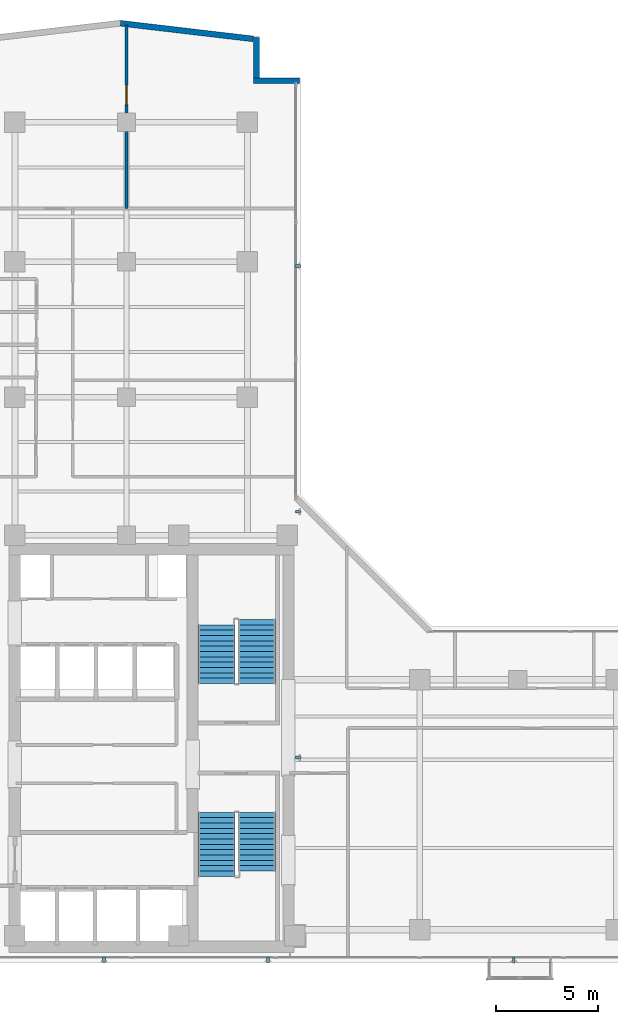
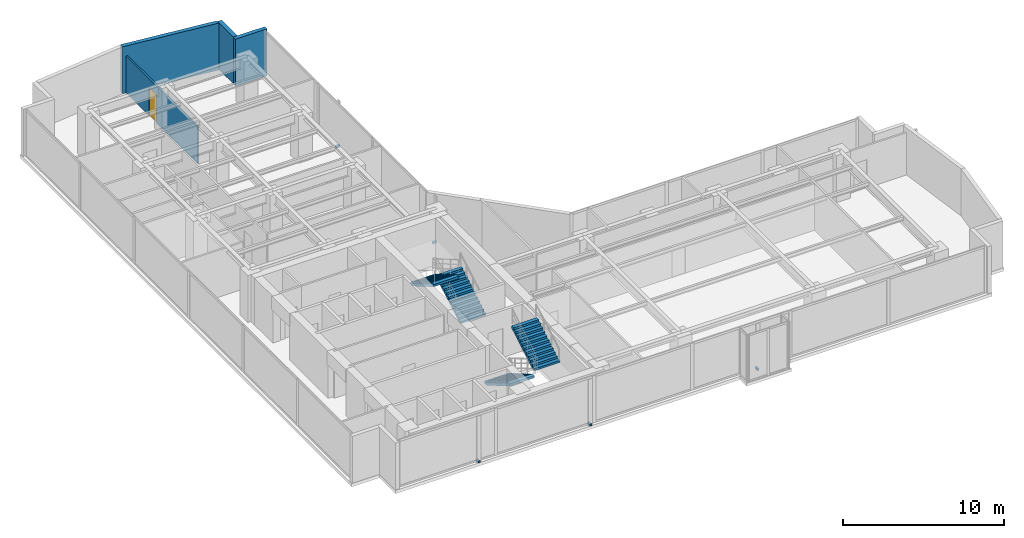
# One storey, part 19 of 23: 6 discrete accessories, 4 stair flights, 4 walls, 1 door, 1 opening, 2 elements without a shape of their own.
"""IFC4 building model written with IfcOpenShell, lengths in metres."""

from ifc_helpers import new_model, si_unit, direction, frame, frame_2d, origin, origin_with_axes, origin_2d, place, context, subcontext, project, spatial, polyline, rectangle, outline, extrude, source, transform, mapped, material, layer, layer_set, type_object, element, fill, aggregate, save


model = new_model("IFC4")

# Units and contexts
model_context = context("Model", 3, precision=1e-05, world=origin(), true_north=direction((0.0, 1.0)))
body_context = subcontext(model_context, "Body", "Model", "MODEL_VIEW")
ifc_project = project(units=[si_unit("LENGTHUNIT", "METRE"), si_unit("AREAUNIT", "SQUARE_METRE"), si_unit("VOLUMEUNIT", "CUBIC_METRE"), si_unit("PLANEANGLEUNIT", "RADIAN"), si_unit("MASSUNIT", "GRAM", prefix="KILO")], contexts=[model_context])

# Site, building, storey
site_placement = place(None, origin())
site = spatial("IfcSite", under=ifc_project, at=site_placement, CompositionType="ELEMENT")
building_placement = place(site_placement, origin())
building = spatial("IfcBuilding", under=site, at=building_placement, Name="Kolvaren Waterfront Exchange", CompositionType="ELEMENT")
storey_placement = place(building_placement, frame((0.0, 0.0, 250.10009765625)))
storey = spatial("IfcBuildingStorey", under=building, at=storey_placement, Name="L64", CompositionType="ELEMENT", Elevation=250.10009765625)

# Walls
ifc_material_1 = material(Name="Precast concrete C40/50", Category="concrete")
ifc_layer_1 = layer(ifc_material_1, 0.280029296875, Name="Precast concrete C40/50")
ifc_layer_set_1 = layer_set([ifc_layer_1], Name="Precast concrete C40/50")
wall_type_1 = type_object("IfcWallType", Name="ARC-EXT-TERR-280", PredefinedType="SOLIDWALL", material=ifc_layer_set_1)
wall_1_placement = place(storey_placement, frame((19.10009765625, 46.639892578125, 0.0), z_axis=(0.0, 0.0, 1.0), x_axis=(1.0, 0.0, 0.0)))
element("IfcWall", 1, at=wall_1_placement, inside=storey, type_object=wall_type_1, Name="L64 notched corner spandrel pier NNE-A", PredefinedType="SOLIDWALL", context=body_context, shape_type="SweptSolid", body=[
    extrude(rectangle(XDim=2.239990234375, YDim=0.280029296875, at=frame_2d((1.1201171875, 0.0))), origin(), (0.0, 0.0, 1.0), 3.559814453125),
])
wall_2_placement = place(storey_placement, frame((19.239990234375, 46.780029296875, 0.0), z_axis=(0.0, 0.0, 1.0), x_axis=(0.0, 1.0, 0.0)))
element("IfcWall", 2, at=wall_2_placement, inside=storey, type_object=wall_type_1, Name="L64 notched corner spandrel pier NNE-B", PredefinedType="SOLIDWALL", context=body_context, shape_type="SweptSolid", body=[
    extrude(rectangle(XDim=1.9599609375, YDim=0.280029296875, at=frame_2d((0.97998046875, 0.0))), origin(), (0.0, 0.0, 1.0), 3.559814453125),
])
wall_3_placement = place(storey_placement, frame((19.08349609375, 48.676025390625, 0.0), z_axis=(0.0, 0.0, 1.0), x_axis=(-0.993149072278, 0.11685426921, 0.0)))
element("IfcWall", 3, at=wall_3_placement, inside=storey, type_object=wall_type_1, Name="L64 north prow faceted facade wall 1", PredefinedType="SOLIDWALL", context=body_context, shape_type="SweptSolid", body=[
    extrude(rectangle(XDim=6.52685546875, YDim=0.280029296875, at=frame_2d((3.263427734375, 0.0))), origin(), (0.0, 0.0, 1.0), 3.559814453125),
])

# Wall, opening, door
ifc_material_2 = material(Name="Acoustic gypsum steel stud", Category="steel")
ifc_layer_2 = layer(ifc_material_2, 0.125, Name="Acoustic gypsum steel stud")
ifc_layer_set_2 = layer_set([ifc_layer_2], Name="Acoustic gypsum steel stud")
wall_type_2 = type_object("IfcWallType", Name="ARC-PART-125", PredefinedType="PARTITIONING", material=ifc_layer_set_2)
wall_4_placement = place(storey_placement, frame((12.89990234375, 40.39990234375, 0.0), z_axis=(0.0, 0.0, 1.0), x_axis=(0.0, 1.0, 0.0)))
wall_4 = element("IfcWall", 4, at=wall_4_placement, inside=storey, type_object=wall_type_2, Name="L64 interior wall PW-L64-NTIP-DIV", PredefinedType="PARTITIONING", context=body_context, shape_type="SweptSolid", body=[
    extrude(rectangle(XDim=8.960205078125, YDim=0.125, at=frame_2d((4.47998046875, 0.0))), origin(), (0.0, 0.0, 1.0), 2.7978515625),
])
opening_placement = place(wall_4_placement, frame((5.069091796875, 0.0, 0.0)))
opening = element("IfcOpeningElement", 5, at=opening_placement, cuts=wall_4, Name="Opening D02", PredefinedType="OPENING", context=body_context, shape_type="SweptSolid", body=[
    extrude(rectangle(XDim=0.949951171875, YDim=2.14990234375, at=frame_2d((0.47509765625, 1.074951171875))), frame((0.0, 0.072509765625, 0.0), z_axis=(0.0, -1.0, 0.0), x_axis=(1.0, 0.0, 0.0)), (0.0, 0.0, 1.0), 0.14501953125),
])
ifc_material_3 = material(Name="Oak veneer acoustic timber", Category="wood")
door_type = type_object("IfcDoorType", Name="ARC-DR-950", OperationType="NOTDEFINED", PredefinedType="DOOR", material=ifc_material_3)
door_placement = place(opening_placement, origin())
door = element("IfcDoor", 6, at=door_placement, inside=storey, type_object=door_type, Name="L64 door DR-L64-NTIPE-D (D02)", OperationType="SINGLE_SWING_RIGHT", OverallHeight=2.14990234375, OverallWidth=0.949951171875, PredefinedType="DOOR", context=body_context, shape_type="SweptSolid", body=[
    extrude(rectangle(XDim=0.949951171875, YDim=2.14990234375, at=frame_2d((0.47509765625, 1.074951171875))), frame((0.0, 0.02490234375, 0.0), z_axis=(0.0, -1.0, 0.0), x_axis=(1.0, 0.0, 0.0)), (0.0, 0.0, 1.0), 0.050048828125),
])
fill(opening, door)

# Stair, stair flights
ifc_material_4 = material(Name="Concrete C40/50", Category="concrete")
stair_type = type_object("IfcStairType", Name="ARC-STAIR-3800", PredefinedType="HALF_TURN_STAIR", material=ifc_material_4)
stair_1_placement = place(storey_placement, origin())
stair_1 = element("IfcStair", 7, at=stair_1_placement, inside=storey, type_object=stair_type, Name="L64 Smoke-proof exit stair ST1", PredefinedType="HALF_TURN_STAIR")
stair_flight_type = type_object("IfcStairFlightType", Name="ARC-FLIGHT-3800", PredefinedType="STRAIGHT", material=ifc_material_4)
stair_flight_1_placement = place(storey_placement, frame((17.300048828125, 10.929931640625, 0.0), z_axis=(0.0, 0.0, 1.0), x_axis=(0.0, -1.0, 0.0)))
stair_flight_1 = element("IfcStairFlight", 8, at=stair_flight_1_placement, type_object=stair_flight_type, Name="ST1 flight 1", NumberOfRisers=13, NumberOfTreads=12, PredefinedType="STRAIGHT", RiserHeight=0.152, TreadLength=0.26, context=body_context, shape_type="SweptSolid", body=[
    extrude(outline(polyline([(0.0, 0.0), (0.0, 0.152099609375), (0.260009765625, 0.152099609375), (0.260009765625, 0.303955078125), (0.52001953125, 0.303955078125), (0.52001953125, 0.4560546875), (0.780029296875, 0.4560546875), (0.780029296875, 0.60791015625), (1.0400390625, 0.60791015625), (1.0400390625, 0.760009765625), (1.300048828125, 0.760009765625), (1.300048828125, 0.912109375), (1.56005859375, 0.912109375), (1.56005859375, 1.06396484375), (1.820068359375, 1.06396484375), (1.820068359375, 1.216064453125), (2.080078125, 1.216064453125), (2.080078125, 1.367919921875), (2.340087890625, 1.367919921875), (2.340087890625, 1.52001953125), (2.60009765625, 1.52001953125), (2.60009765625, 1.672119140625), (2.860107421875, 1.672119140625), (2.860107421875, 1.823974609375), (3.1201171875, 1.823974609375), (3.1201171875, 1.97607421875), (3.1201171875, 1.650390625), (0.297119140625, 0.0), (0.0, 0.0)])), frame((0.0, 0.89990234375, 0.0), z_axis=(0.0, -1.0, 0.0), x_axis=(1.0, 0.0, 0.0)), (0.0, 0.0, 1.0), 1.800048828125),
])
stair_flight_2_placement = place(storey_placement, frame((19.260009765625, 8.070068359375, 1.975830078125), z_axis=(0.0, 0.0, 1.0), x_axis=(0.0, 1.0, 0.0)))
stair_flight_2 = element("IfcStairFlight", 9, at=stair_flight_2_placement, type_object=stair_flight_type, Name="ST1 flight 2", NumberOfRisers=12, NumberOfTreads=11, PredefinedType="STRAIGHT", RiserHeight=0.152, TreadLength=0.26, context=body_context, shape_type="SweptSolid", body=[
    extrude(outline(polyline([(0.0, 0.0), (0.0, 0.152099609375), (0.260009765625, 0.152099609375), (0.260009765625, 0.303955078125), (0.52001953125, 0.303955078125), (0.52001953125, 0.4560546875), (0.780029296875, 0.4560546875), (0.780029296875, 0.60791015625), (1.0400390625, 0.60791015625), (1.0400390625, 0.760009765625), (1.300048828125, 0.760009765625), (1.300048828125, 0.912109375), (1.56005859375, 0.912109375), (1.56005859375, 1.06396484375), (1.820068359375, 1.06396484375), (1.820068359375, 1.216064453125), (2.080078125, 1.216064453125), (2.080078125, 1.367919921875), (2.340087890625, 1.367919921875), (2.340087890625, 1.52001953125), (2.60009765625, 1.52001953125), (2.60009765625, 1.672119140625), (2.860107421875, 1.672119140625), (2.860107421875, 1.823974609375), (2.860107421875, 1.498291015625), (0.297119140625, 0.0), (0.0, 0.0)])), frame((0.0, 0.89990234375, 0.0), z_axis=(0.0, -1.0, 0.0), x_axis=(1.0, 0.0, 0.0)), (0.0, 0.0, 1.0), 1.800048828125),
])
aggregate(stair_1, [stair_flight_1, stair_flight_2])

stair_2_placement = place(storey_placement, origin())
stair_2 = element("IfcStair", 10, at=stair_2_placement, inside=storey, type_object=stair_type, Name="L64 Smoke-proof exit stair ST2", PredefinedType="HALF_TURN_STAIR")
stair_flight_3_placement = place(storey_placement, frame((19.260009765625, 17.219970703125, 0.0), z_axis=(0.0, 0.0, 1.0), x_axis=(0.0, 1.0, 0.0)))
stair_flight_3 = element("IfcStairFlight", 11, at=stair_flight_3_placement, type_object=stair_flight_type, Name="ST2 flight 1", NumberOfRisers=13, NumberOfTreads=12, PredefinedType="STRAIGHT", RiserHeight=0.152, TreadLength=0.26, context=body_context, shape_type="SweptSolid", body=[
    extrude(outline(polyline([(0.0, 0.0), (0.0, 0.152099609375), (0.260009765625, 0.152099609375), (0.260009765625, 0.303955078125), (0.52001953125, 0.303955078125), (0.52001953125, 0.4560546875), (0.780029296875, 0.4560546875), (0.780029296875, 0.60791015625), (1.0400390625, 0.60791015625), (1.0400390625, 0.760009765625), (1.300048828125, 0.760009765625), (1.300048828125, 0.912109375), (1.56005859375, 0.912109375), (1.56005859375, 1.06396484375), (1.820068359375, 1.06396484375), (1.820068359375, 1.216064453125), (2.080078125, 1.216064453125), (2.080078125, 1.367919921875), (2.340087890625, 1.367919921875), (2.340087890625, 1.52001953125), (2.60009765625, 1.52001953125), (2.60009765625, 1.672119140625), (2.860107421875, 1.672119140625), (2.860107421875, 1.823974609375), (3.1201171875, 1.823974609375), (3.1201171875, 1.97607421875), (3.1201171875, 1.650390625), (0.297119140625, 0.0), (0.0, 0.0)])), frame((0.0, 0.89990234375, 0.0), z_axis=(0.0, -1.0, 0.0), x_axis=(1.0, 0.0, 0.0)), (0.0, 0.0, 1.0), 1.800048828125),
])
stair_flight_4_placement = place(storey_placement, frame((17.300048828125, 20.080078125, 1.975830078125), z_axis=(0.0, 0.0, 1.0), x_axis=(0.0, -1.0, 0.0)))
stair_flight_4 = element("IfcStairFlight", 12, at=stair_flight_4_placement, type_object=stair_flight_type, Name="ST2 flight 2", NumberOfRisers=12, NumberOfTreads=11, PredefinedType="STRAIGHT", RiserHeight=0.152, TreadLength=0.26, context=body_context, shape_type="SweptSolid", body=[
    extrude(outline(polyline([(0.0, 0.0), (0.0, 0.152099609375), (0.260009765625, 0.152099609375), (0.260009765625, 0.303955078125), (0.52001953125, 0.303955078125), (0.52001953125, 0.4560546875), (0.780029296875, 0.4560546875), (0.780029296875, 0.60791015625), (1.0400390625, 0.60791015625), (1.0400390625, 0.760009765625), (1.300048828125, 0.760009765625), (1.300048828125, 0.912109375), (1.56005859375, 0.912109375), (1.56005859375, 1.06396484375), (1.820068359375, 1.06396484375), (1.820068359375, 1.216064453125), (2.080078125, 1.216064453125), (2.080078125, 1.367919921875), (2.340087890625, 1.367919921875), (2.340087890625, 1.52001953125), (2.60009765625, 1.52001953125), (2.60009765625, 1.672119140625), (2.860107421875, 1.672119140625), (2.860107421875, 1.823974609375), (2.860107421875, 1.498291015625), (0.297119140625, 0.0), (0.0, 0.0)])), frame((0.0, 0.89990234375, 0.0), z_axis=(0.0, -1.0, 0.0), x_axis=(1.0, 0.0, 0.0)), (0.0, 0.0, 1.0), 1.800048828125),
])
aggregate(stair_2, [stair_flight_3, stair_flight_4])

# Discrete accessories
ifc_material_5 = material(Name="Stainless steel 316", Category="steel")
discrete_accessory_type = type_object("IfcDiscreteAccessoryType", Name="ARC-BRK-FIN", PredefinedType="BRACKET", material=ifc_material_5)
shared_shape = source(origin_with_axes(), body_context, "Body", "SweptSolid", [
    extrude(rectangle(XDim=0.280029296875, YDim=0.139892578125, at=origin_2d()), origin(), (0.0, 0.0, 1.0), 0.159912109375),
])
for number, where, z_axis, x_axis, name in (
    (13, (11.800048828125, 3.719970703125, 0.0), (0.0, 0.0, 1.0), (0.0, -1.0, 0.0), "L64 bronze fin anchor bracket FIN-L64-S1"),
    (14, (19.800048828125, 3.719970703125, 0.0), (0.0, 0.0, 1.0), (0.0, -1.0, 0.0), "L64 bronze fin anchor bracket FIN-L64-S2"),
    (15, (31.800048828125, 3.719970703125, 0.0), (0.0, 0.0, 1.0), (0.0, -1.0, 0.0), "L64 bronze fin anchor bracket FIN-L64-S3"),
    (16, (21.280029296875, 13.60009765625, 0.0), (0.0, 0.0, 1.0), (1.0, 0.0, 0.0), "L64 bronze fin anchor bracket FIN-L64-E1"),
    (17, (21.280029296875, 25.60009765625, 0.0), (0.0, 0.0, 1.0), (1.0, 0.0, 0.0), "L64 bronze fin anchor bracket FIN-L64-E2"),
    (18, (21.280029296875, 37.60009765625, 0.0), (0.0, 0.0, 1.0), (1.0, 0.0, 0.0), "L64 bronze fin anchor bracket FIN-L64-E3"),
):
    element("IfcDiscreteAccessory", number, at=place(storey_placement, frame(where, z_axis=z_axis, x_axis=x_axis)), inside=storey, type_object=discrete_accessory_type, Name=name, PredefinedType="BRACKET", context=body_context, shape_type="MappedRepresentation", body=[
        mapped(shared_shape, transform((0.0, 0.0, 0.0), x_axis=(1.0, 0.0, 0.0), y_axis=(0.0, 1.0, 0.0), z_axis=(0.0, 0.0, 1.0), scale=1.0)),
    ])

save(model, "model.ifc")
